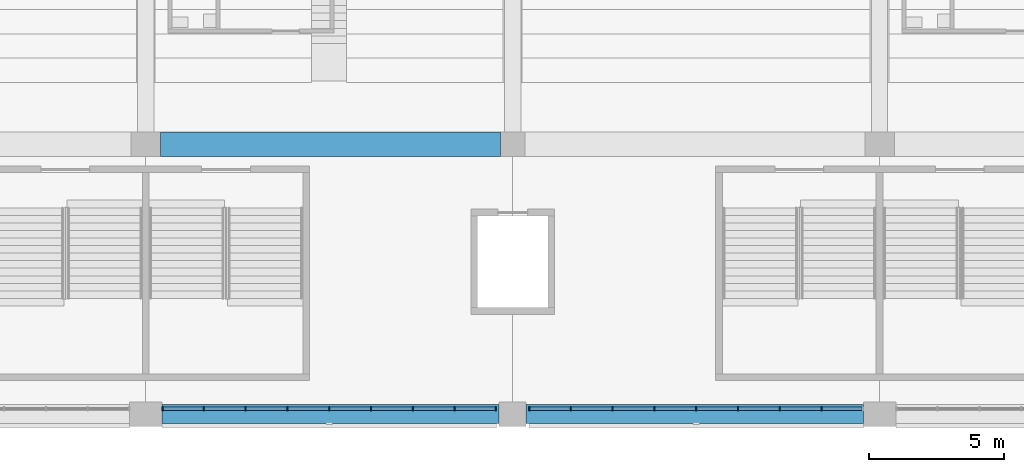
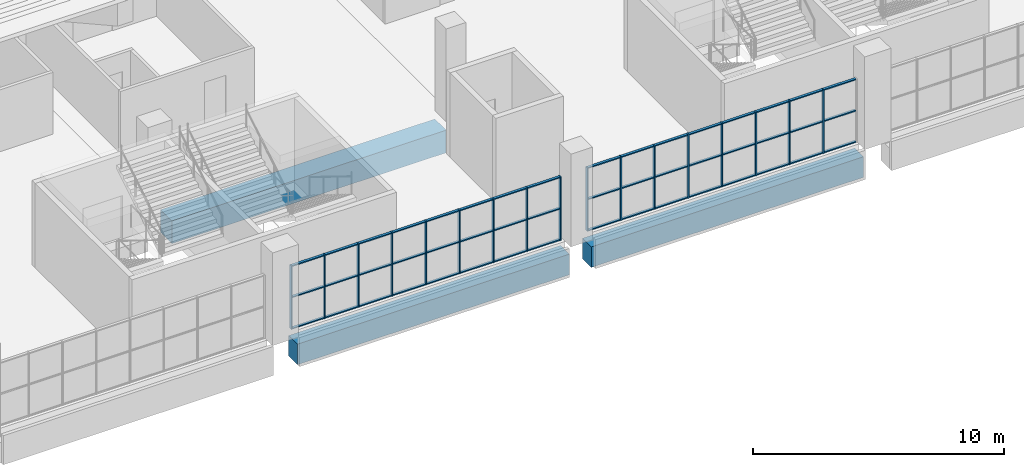
# One storey, part 12 of 249: 65 members, 3 beams, 2 elements without a shape of their own.
"""IFC4 building model written with IfcOpenShell, lengths in metres."""

from ifc_helpers import new_model, si_unit, direction, frame, origin, origin_2d, place, context, subcontext, project, spatial, rectangle, extrude, material, material_profile, profile_set, type_object, element, aggregate, save


model = new_model("IFC4")

# Units and contexts
model_context = context("Model", 3, precision=1e-05, world=origin(), true_north=direction((0.0, 1.0)))
body_context = subcontext(model_context, "Body", "Model", "MODEL_VIEW")
ifc_project = project(units=[si_unit("LENGTHUNIT", "METRE"), si_unit("AREAUNIT", "SQUARE_METRE"), si_unit("VOLUMEUNIT", "CUBIC_METRE"), si_unit("PLANEANGLEUNIT", "RADIAN"), si_unit("MASSUNIT", "GRAM", prefix="KILO")], contexts=[model_context])

# Site, building, storey
site_placement = place(None, origin())
site = spatial("IfcSite", under=ifc_project, at=site_placement, CompositionType="ELEMENT")
building_placement = place(site_placement, origin())
building = spatial("IfcBuilding", under=site, at=building_placement, Name="Ogive Plaza Stadium", CompositionType="ELEMENT")
storey_placement = place(building_placement, frame((0.0, 0.0, 13.5)))
storey = spatial("IfcBuildingStorey", under=building, at=storey_placement, Name="L03", CompositionType="ELEMENT", Elevation=13.5)

# Curtain wall, members
ifc_material_1 = material(Name="Bronze-anodised aluminium with laminated glass", Category="aluminium")
curtain_wall_type = type_object("IfcCurtainWallType", Name="Lancet curtain wall", PredefinedType="NOTDEFINED", material=ifc_material_1)
curtain_wall_1_placement = place(storey_placement, origin())
curtain_wall_1 = element("IfcCurtainWall", 1, at=curtain_wall_1_placement, inside=storey, type_object=curtain_wall_type, Name="CURTAIN WALL B14 L03", PredefinedType="NOTDEFINED")
ifc_material_2 = material(Name="Bronze-anodised aluminium", Category="aluminium")
ifc_material_profile_1 = material_profile(ifc_material_2, rectangle(XDim=0.14990234375, YDim=0.050048828125, at=origin_2d()), Name="AL 150x50")
ifc_profile_set_1 = profile_set([ifc_material_profile_1], Name="Bronze-anodised aluminium")
member_type_1 = type_object("IfcMemberType", Name="Curtain wall mullion 50x150", PredefinedType="MULLION", material=ifc_profile_set_1)
member_1_placement = place(storey_placement, frame((4.64990234375, -102.300048828125, 0.0), z_axis=(0.0, 0.0, 1.0), x_axis=(0.0, -1.0, 0.0)))
member_1 = element("IfcMember", 2, at=member_1_placement, type_object=member_type_1, Name="CW-B14-L03 mullion 2", PredefinedType="MULLION", context=body_context, shape_type="SweptSolid", body=[
    extrude(rectangle(XDim=0.14990234375, YDim=0.050048828125, at=origin_2d()), origin(), (0.0, 0.0, 1.0), 3.090087890625),
])
member_2_placement = place(storey_placement, frame((3.10009765625, -102.300048828125, 0.0), z_axis=(0.0, 0.0, 1.0), x_axis=(0.0, -1.0, 0.0)))
member_2 = element("IfcMember", 3, at=member_2_placement, type_object=member_type_1, Name="CW-B14-L03 mullion 3", PredefinedType="MULLION", context=body_context, shape_type="SweptSolid", body=[
    extrude(rectangle(XDim=0.14990234375, YDim=0.050048828125, at=origin_2d()), origin(), (0.0, 0.0, 1.0), 3.090087890625),
])
member_3_placement = place(storey_placement, frame((1.550048828125, -102.300048828125, 0.0), z_axis=(0.0, 0.0, 1.0), x_axis=(0.0, -1.0, 0.0)))
member_3 = element("IfcMember", 4, at=member_3_placement, type_object=member_type_1, Name="CW-B14-L03 mullion 4", PredefinedType="MULLION", context=body_context, shape_type="SweptSolid", body=[
    extrude(rectangle(XDim=0.14990234375, YDim=0.050048828125, at=origin_2d()), origin(), (0.0, 0.0, 1.0), 3.090087890625),
])
member_4_placement = place(storey_placement, frame((0.0, -102.300048828125, 0.0), z_axis=(0.0, 0.0, 1.0), x_axis=(0.0, -1.0, 0.0)))
member_4 = element("IfcMember", 5, at=member_4_placement, type_object=member_type_1, Name="CW-B14-L03 mullion 5", PredefinedType="MULLION", context=body_context, shape_type="SweptSolid", body=[
    extrude(rectangle(XDim=0.14990234375, YDim=0.050048828125, at=origin_2d()), origin(), (0.0, 0.0, 1.0), 3.090087890625),
])
member_5_placement = place(storey_placement, frame((-1.550048828125, -102.300048828125, 0.0), z_axis=(0.0, 0.0, 1.0), x_axis=(0.0, -1.0, 0.0)))
member_5 = element("IfcMember", 6, at=member_5_placement, type_object=member_type_1, Name="CW-B14-L03 mullion 6", PredefinedType="MULLION", context=body_context, shape_type="SweptSolid", body=[
    extrude(rectangle(XDim=0.14990234375, YDim=0.050048828125, at=origin_2d()), origin(), (0.0, 0.0, 1.0), 3.090087890625),
])
member_6_placement = place(storey_placement, frame((-3.10009765625, -102.300048828125, 0.0), z_axis=(0.0, 0.0, 1.0), x_axis=(0.0, -1.0, 0.0)))
member_6 = element("IfcMember", 7, at=member_6_placement, type_object=member_type_1, Name="CW-B14-L03 mullion 7", PredefinedType="MULLION", context=body_context, shape_type="SweptSolid", body=[
    extrude(rectangle(XDim=0.14990234375, YDim=0.050048828125, at=origin_2d()), origin(), (0.0, 0.0, 1.0), 3.090087890625),
])
member_7_placement = place(storey_placement, frame((-4.64990234375, -102.300048828125, 0.0), z_axis=(0.0, 0.0, 1.0), x_axis=(0.0, -1.0, 0.0)))
member_7 = element("IfcMember", 8, at=member_7_placement, type_object=member_type_1, Name="CW-B14-L03 mullion 8", PredefinedType="MULLION", context=body_context, shape_type="SweptSolid", body=[
    extrude(rectangle(XDim=0.14990234375, YDim=0.050048828125, at=origin_2d()), origin(), (0.0, 0.0, 1.0), 3.090087890625),
])
member_8_placement = place(storey_placement, frame((-6.175048828125, -102.300048828125, 0.0), z_axis=(0.0, 0.0, 1.0), x_axis=(0.0, -1.0, 0.0)))
member_8 = element("IfcMember", 9, at=member_8_placement, type_object=member_type_1, Name="CW-B14-L03 mullion 9", PredefinedType="MULLION", context=body_context, shape_type="SweptSolid", body=[
    extrude(rectangle(XDim=0.14990234375, YDim=0.050048828125, at=origin_2d()), origin(), (0.0, 0.0, 1.0), 3.090087890625),
])

curtain_wall_2_placement = place(storey_placement, origin())
curtain_wall_2 = element("IfcCurtainWall", 10, at=curtain_wall_2_placement, inside=storey, type_object=curtain_wall_type, Name="CURTAIN WALL B15 L03", PredefinedType="NOTDEFINED")
member_9_placement = place(storey_placement, frame((-7.425048828125, -102.300048828125, 0.0), z_axis=(0.0, 0.0, 1.0), x_axis=(0.0, -1.0, 0.0)))
member_9 = element("IfcMember", 11, at=member_9_placement, type_object=member_type_1, Name="CW-B15-L03 mullion 1", PredefinedType="MULLION", context=body_context, shape_type="SweptSolid", body=[
    extrude(rectangle(XDim=0.14990234375, YDim=0.050048828125, at=origin_2d()), origin(), (0.0, 0.0, 1.0), 3.090087890625),
])
member_10_placement = place(storey_placement, frame((-8.949951171875, -102.300048828125, 0.0), z_axis=(0.0, 0.0, 1.0), x_axis=(0.0, -1.0, 0.0)))
member_10 = element("IfcMember", 12, at=member_10_placement, type_object=member_type_1, Name="CW-B15-L03 mullion 2", PredefinedType="MULLION", context=body_context, shape_type="SweptSolid", body=[
    extrude(rectangle(XDim=0.14990234375, YDim=0.050048828125, at=origin_2d()), origin(), (0.0, 0.0, 1.0), 3.090087890625),
])
member_11_placement = place(storey_placement, frame((-10.5, -102.300048828125, 0.0), z_axis=(0.0, 0.0, 1.0), x_axis=(0.0, -1.0, 0.0)))
member_11 = element("IfcMember", 13, at=member_11_placement, type_object=member_type_1, Name="CW-B15-L03 mullion 3", PredefinedType="MULLION", context=body_context, shape_type="SweptSolid", body=[
    extrude(rectangle(XDim=0.14990234375, YDim=0.050048828125, at=origin_2d()), origin(), (0.0, 0.0, 1.0), 3.090087890625),
])
member_12_placement = place(storey_placement, frame((-12.050048828125, -102.300048828125, 0.0), z_axis=(0.0, 0.0, 1.0), x_axis=(0.0, -1.0, 0.0)))
member_12 = element("IfcMember", 14, at=member_12_placement, type_object=member_type_1, Name="CW-B15-L03 mullion 4", PredefinedType="MULLION", context=body_context, shape_type="SweptSolid", body=[
    extrude(rectangle(XDim=0.14990234375, YDim=0.050048828125, at=origin_2d()), origin(), (0.0, 0.0, 1.0), 3.090087890625),
])
member_13_placement = place(storey_placement, frame((-13.60009765625, -102.300048828125, 0.0), z_axis=(0.0, 0.0, 1.0), x_axis=(0.0, -1.0, 0.0)))
member_13 = element("IfcMember", 15, at=member_13_placement, type_object=member_type_1, Name="CW-B15-L03 mullion 5", PredefinedType="MULLION", context=body_context, shape_type="SweptSolid", body=[
    extrude(rectangle(XDim=0.14990234375, YDim=0.050048828125, at=origin_2d()), origin(), (0.0, 0.0, 1.0), 3.090087890625),
])
member_14_placement = place(storey_placement, frame((-15.14990234375, -102.300048828125, 0.0), z_axis=(0.0, 0.0, 1.0), x_axis=(0.0, -1.0, 0.0)))
member_14 = element("IfcMember", 16, at=member_14_placement, type_object=member_type_1, Name="CW-B15-L03 mullion 6", PredefinedType="MULLION", context=body_context, shape_type="SweptSolid", body=[
    extrude(rectangle(XDim=0.14990234375, YDim=0.050048828125, at=origin_2d()), origin(), (0.0, 0.0, 1.0), 3.090087890625),
])
member_15_placement = place(storey_placement, frame((-16.699951171875, -102.300048828125, 0.0), z_axis=(0.0, 0.0, 1.0), x_axis=(0.0, -1.0, 0.0)))
member_15 = element("IfcMember", 17, at=member_15_placement, type_object=member_type_1, Name="CW-B15-L03 mullion 7", PredefinedType="MULLION", context=body_context, shape_type="SweptSolid", body=[
    extrude(rectangle(XDim=0.14990234375, YDim=0.050048828125, at=origin_2d()), origin(), (0.0, 0.0, 1.0), 3.090087890625),
])
member_16_placement = place(storey_placement, frame((-18.25, -102.300048828125, 0.0), z_axis=(0.0, 0.0, 1.0), x_axis=(0.0, -1.0, 0.0)))
member_16 = element("IfcMember", 18, at=member_16_placement, type_object=member_type_1, Name="CW-B15-L03 mullion 8", PredefinedType="MULLION", context=body_context, shape_type="SweptSolid", body=[
    extrude(rectangle(XDim=0.14990234375, YDim=0.050048828125, at=origin_2d()), origin(), (0.0, 0.0, 1.0), 3.090087890625),
])
member_17_placement = place(storey_placement, frame((-19.77490234375, -102.300048828125, 0.0), z_axis=(0.0, 0.0, 1.0), x_axis=(0.0, -1.0, 0.0)))
member_17 = element("IfcMember", 19, at=member_17_placement, type_object=member_type_1, Name="CW-B15-L03 mullion 9", PredefinedType="MULLION", context=body_context, shape_type="SweptSolid", body=[
    extrude(rectangle(XDim=0.14990234375, YDim=0.050048828125, at=origin_2d()), origin(), (0.0, 0.0, 1.0), 3.090087890625),
])

# Member
ifc_material_3 = material(Name="Bronze-anodised aluminium", Category="aluminium")
ifc_material_profile_2 = material_profile(ifc_material_3, rectangle(XDim=0.1201171875, YDim=0.050048828125, at=origin_2d()), Name="AL 120x50")
ifc_profile_set_2 = profile_set([ifc_material_profile_2], Name="Bronze-anodised aluminium")
member_type_2 = type_object("IfcMemberType", Name="Curtain wall transom 50x120", PredefinedType="USERDEFINED", material=ifc_profile_set_2)
member_18_placement = place(storey_placement, frame((6.14990234375, -102.300048828125, 0.02490234375), z_axis=(-1.0, 0.0, 0.0), x_axis=(0.0, -1.0, 0.0)))
member_18 = element("IfcMember", 20, at=member_18_placement, type_object=member_type_2, Name="CW-B14-L03 transom 1.1", ObjectType="TRANSOM", PredefinedType="USERDEFINED", context=body_context, shape_type="SweptSolid", body=[
    extrude(rectangle(XDim=0.1201171875, YDim=0.050048828125, at=origin_2d()), origin(), (0.0, 0.0, 1.0), 1.474853515625),
])

member_19_placement = place(storey_placement, frame((6.14990234375, -102.300048828125, 1.544921875), z_axis=(-1.0, 0.0, 0.0), x_axis=(0.0, -1.0, 0.0)))
member_19 = element("IfcMember", 21, at=member_19_placement, type_object=member_type_2, Name="CW-B14-L03 transom 1.2", ObjectType="TRANSOM", PredefinedType="USERDEFINED", context=body_context, shape_type="SweptSolid", body=[
    extrude(rectangle(XDim=0.1201171875, YDim=0.050048828125, at=origin_2d()), origin(), (0.0, 0.0, 1.0), 1.474853515625),
])

member_20_placement = place(storey_placement, frame((6.14990234375, -102.300048828125, 3.06494140625), z_axis=(-1.0, 0.0, 0.0), x_axis=(0.0, -1.0, 0.0)))
member_20 = element("IfcMember", 22, at=member_20_placement, type_object=member_type_2, Name="CW-B14-L03 transom 1.3", ObjectType="TRANSOM", PredefinedType="USERDEFINED", context=body_context, shape_type="SweptSolid", body=[
    extrude(rectangle(XDim=0.1201171875, YDim=0.050048828125, at=origin_2d()), origin(), (0.0, 0.0, 1.0), 1.474853515625),
])

member_21_placement = place(storey_placement, frame((4.625, -102.300048828125, 0.02490234375), z_axis=(-1.0, 0.0, 0.0), x_axis=(0.0, -1.0, 0.0)))
member_21 = element("IfcMember", 23, at=member_21_placement, type_object=member_type_2, Name="CW-B14-L03 transom 2.1", ObjectType="TRANSOM", PredefinedType="USERDEFINED", context=body_context, shape_type="SweptSolid", body=[
    extrude(rectangle(XDim=0.1201171875, YDim=0.050048828125, at=origin_2d()), origin(), (0.0, 0.0, 1.0), 1.5),
])

member_22_placement = place(storey_placement, frame((4.625, -102.300048828125, 1.544921875), z_axis=(-1.0, 0.0, 0.0), x_axis=(0.0, -1.0, 0.0)))
member_22 = element("IfcMember", 24, at=member_22_placement, type_object=member_type_2, Name="CW-B14-L03 transom 2.2", ObjectType="TRANSOM", PredefinedType="USERDEFINED", context=body_context, shape_type="SweptSolid", body=[
    extrude(rectangle(XDim=0.1201171875, YDim=0.050048828125, at=origin_2d()), origin(), (0.0, 0.0, 1.0), 1.5),
])

member_23_placement = place(storey_placement, frame((4.625, -102.300048828125, 3.06494140625), z_axis=(-1.0, 0.0, 0.0), x_axis=(0.0, -1.0, 0.0)))
member_23 = element("IfcMember", 25, at=member_23_placement, type_object=member_type_2, Name="CW-B14-L03 transom 2.3", ObjectType="TRANSOM", PredefinedType="USERDEFINED", context=body_context, shape_type="SweptSolid", body=[
    extrude(rectangle(XDim=0.1201171875, YDim=0.050048828125, at=origin_2d()), origin(), (0.0, 0.0, 1.0), 1.5),
])

member_24_placement = place(storey_placement, frame((3.074951171875, -102.300048828125, 0.02490234375), z_axis=(-1.0, 0.0, 0.0), x_axis=(0.0, -1.0, 0.0)))
member_24 = element("IfcMember", 26, at=member_24_placement, type_object=member_type_2, Name="CW-B14-L03 transom 3.1", ObjectType="TRANSOM", PredefinedType="USERDEFINED", context=body_context, shape_type="SweptSolid", body=[
    extrude(rectangle(XDim=0.1201171875, YDim=0.050048828125, at=origin_2d()), origin(), (0.0, 0.0, 1.0), 1.5),
])

member_25_placement = place(storey_placement, frame((3.074951171875, -102.300048828125, 1.544921875), z_axis=(-1.0, 0.0, 0.0), x_axis=(0.0, -1.0, 0.0)))
member_25 = element("IfcMember", 27, at=member_25_placement, type_object=member_type_2, Name="CW-B14-L03 transom 3.2", ObjectType="TRANSOM", PredefinedType="USERDEFINED", context=body_context, shape_type="SweptSolid", body=[
    extrude(rectangle(XDim=0.1201171875, YDim=0.050048828125, at=origin_2d()), origin(), (0.0, 0.0, 1.0), 1.5),
])

member_26_placement = place(storey_placement, frame((3.074951171875, -102.300048828125, 3.06494140625), z_axis=(-1.0, 0.0, 0.0), x_axis=(0.0, -1.0, 0.0)))
member_26 = element("IfcMember", 28, at=member_26_placement, type_object=member_type_2, Name="CW-B14-L03 transom 3.3", ObjectType="TRANSOM", PredefinedType="USERDEFINED", context=body_context, shape_type="SweptSolid", body=[
    extrude(rectangle(XDim=0.1201171875, YDim=0.050048828125, at=origin_2d()), origin(), (0.0, 0.0, 1.0), 1.5),
])

member_27_placement = place(storey_placement, frame((1.52490234375, -102.300048828125, 0.02490234375), z_axis=(-1.0, 0.0, 0.0), x_axis=(0.0, -1.0, 0.0)))
member_27 = element("IfcMember", 29, at=member_27_placement, type_object=member_type_2, Name="CW-B14-L03 transom 4.1", ObjectType="TRANSOM", PredefinedType="USERDEFINED", context=body_context, shape_type="SweptSolid", body=[
    extrude(rectangle(XDim=0.1201171875, YDim=0.050048828125, at=origin_2d()), origin(), (0.0, 0.0, 1.0), 1.5),
])

member_28_placement = place(storey_placement, frame((1.52490234375, -102.300048828125, 1.544921875), z_axis=(-1.0, 0.0, 0.0), x_axis=(0.0, -1.0, 0.0)))
member_28 = element("IfcMember", 30, at=member_28_placement, type_object=member_type_2, Name="CW-B14-L03 transom 4.2", ObjectType="TRANSOM", PredefinedType="USERDEFINED", context=body_context, shape_type="SweptSolid", body=[
    extrude(rectangle(XDim=0.1201171875, YDim=0.050048828125, at=origin_2d()), origin(), (0.0, 0.0, 1.0), 1.5),
])

member_29_placement = place(storey_placement, frame((1.52490234375, -102.300048828125, 3.06494140625), z_axis=(-1.0, 0.0, 0.0), x_axis=(0.0, -1.0, 0.0)))
member_29 = element("IfcMember", 31, at=member_29_placement, type_object=member_type_2, Name="CW-B14-L03 transom 4.3", ObjectType="TRANSOM", PredefinedType="USERDEFINED", context=body_context, shape_type="SweptSolid", body=[
    extrude(rectangle(XDim=0.1201171875, YDim=0.050048828125, at=origin_2d()), origin(), (0.0, 0.0, 1.0), 1.5),
])

member_30_placement = place(storey_placement, frame((-0.02490234375, -102.300048828125, 0.02490234375), z_axis=(-1.0, 0.0, 0.0), x_axis=(0.0, -1.0, 0.0)))
member_30 = element("IfcMember", 32, at=member_30_placement, type_object=member_type_2, Name="CW-B14-L03 transom 5.1", ObjectType="TRANSOM", PredefinedType="USERDEFINED", context=body_context, shape_type="SweptSolid", body=[
    extrude(rectangle(XDim=0.1201171875, YDim=0.050048828125, at=origin_2d()), origin(), (0.0, 0.0, 1.0), 1.5),
])

member_31_placement = place(storey_placement, frame((-0.02490234375, -102.300048828125, 1.544921875), z_axis=(-1.0, 0.0, 0.0), x_axis=(0.0, -1.0, 0.0)))
member_31 = element("IfcMember", 33, at=member_31_placement, type_object=member_type_2, Name="CW-B14-L03 transom 5.2", ObjectType="TRANSOM", PredefinedType="USERDEFINED", context=body_context, shape_type="SweptSolid", body=[
    extrude(rectangle(XDim=0.1201171875, YDim=0.050048828125, at=origin_2d()), origin(), (0.0, 0.0, 1.0), 1.5),
])

member_32_placement = place(storey_placement, frame((-0.02490234375, -102.300048828125, 3.06494140625), z_axis=(-1.0, 0.0, 0.0), x_axis=(0.0, -1.0, 0.0)))
member_32 = element("IfcMember", 34, at=member_32_placement, type_object=member_type_2, Name="CW-B14-L03 transom 5.3", ObjectType="TRANSOM", PredefinedType="USERDEFINED", context=body_context, shape_type="SweptSolid", body=[
    extrude(rectangle(XDim=0.1201171875, YDim=0.050048828125, at=origin_2d()), origin(), (0.0, 0.0, 1.0), 1.5),
])

member_33_placement = place(storey_placement, frame((-1.574951171875, -102.300048828125, 0.02490234375), z_axis=(-1.0, 0.0, 0.0), x_axis=(0.0, -1.0, 0.0)))
member_33 = element("IfcMember", 35, at=member_33_placement, type_object=member_type_2, Name="CW-B14-L03 transom 6.1", ObjectType="TRANSOM", PredefinedType="USERDEFINED", context=body_context, shape_type="SweptSolid", body=[
    extrude(rectangle(XDim=0.1201171875, YDim=0.050048828125, at=origin_2d()), origin(), (0.0, 0.0, 1.0), 1.5),
])

member_34_placement = place(storey_placement, frame((-1.574951171875, -102.300048828125, 1.544921875), z_axis=(-1.0, 0.0, 0.0), x_axis=(0.0, -1.0, 0.0)))
member_34 = element("IfcMember", 36, at=member_34_placement, type_object=member_type_2, Name="CW-B14-L03 transom 6.2", ObjectType="TRANSOM", PredefinedType="USERDEFINED", context=body_context, shape_type="SweptSolid", body=[
    extrude(rectangle(XDim=0.1201171875, YDim=0.050048828125, at=origin_2d()), origin(), (0.0, 0.0, 1.0), 1.5),
])

member_35_placement = place(storey_placement, frame((-1.574951171875, -102.300048828125, 3.06494140625), z_axis=(-1.0, 0.0, 0.0), x_axis=(0.0, -1.0, 0.0)))
member_35 = element("IfcMember", 37, at=member_35_placement, type_object=member_type_2, Name="CW-B14-L03 transom 6.3", ObjectType="TRANSOM", PredefinedType="USERDEFINED", context=body_context, shape_type="SweptSolid", body=[
    extrude(rectangle(XDim=0.1201171875, YDim=0.050048828125, at=origin_2d()), origin(), (0.0, 0.0, 1.0), 1.5),
])

member_36_placement = place(storey_placement, frame((-3.125, -102.300048828125, 0.02490234375), z_axis=(-1.0, 0.0, 0.0), x_axis=(0.0, -1.0, 0.0)))
member_36 = element("IfcMember", 38, at=member_36_placement, type_object=member_type_2, Name="CW-B14-L03 transom 7.1", ObjectType="TRANSOM", PredefinedType="USERDEFINED", context=body_context, shape_type="SweptSolid", body=[
    extrude(rectangle(XDim=0.1201171875, YDim=0.050048828125, at=origin_2d()), origin(), (0.0, 0.0, 1.0), 1.5),
])

member_37_placement = place(storey_placement, frame((-3.125, -102.300048828125, 1.544921875), z_axis=(-1.0, 0.0, 0.0), x_axis=(0.0, -1.0, 0.0)))
member_37 = element("IfcMember", 39, at=member_37_placement, type_object=member_type_2, Name="CW-B14-L03 transom 7.2", ObjectType="TRANSOM", PredefinedType="USERDEFINED", context=body_context, shape_type="SweptSolid", body=[
    extrude(rectangle(XDim=0.1201171875, YDim=0.050048828125, at=origin_2d()), origin(), (0.0, 0.0, 1.0), 1.5),
])

member_38_placement = place(storey_placement, frame((-3.125, -102.300048828125, 3.06494140625), z_axis=(-1.0, 0.0, 0.0), x_axis=(0.0, -1.0, 0.0)))
member_38 = element("IfcMember", 40, at=member_38_placement, type_object=member_type_2, Name="CW-B14-L03 transom 7.3", ObjectType="TRANSOM", PredefinedType="USERDEFINED", context=body_context, shape_type="SweptSolid", body=[
    extrude(rectangle(XDim=0.1201171875, YDim=0.050048828125, at=origin_2d()), origin(), (0.0, 0.0, 1.0), 1.5),
])

member_39_placement = place(storey_placement, frame((-4.675048828125, -102.300048828125, 0.02490234375), z_axis=(-1.0, 0.0, 0.0), x_axis=(0.0, -1.0, 0.0)))
member_39 = element("IfcMember", 41, at=member_39_placement, type_object=member_type_2, Name="CW-B14-L03 transom 8.1", ObjectType="TRANSOM", PredefinedType="USERDEFINED", context=body_context, shape_type="SweptSolid", body=[
    extrude(rectangle(XDim=0.1201171875, YDim=0.050048828125, at=origin_2d()), origin(), (0.0, 0.0, 1.0), 1.474853515625),
])

member_40_placement = place(storey_placement, frame((-4.675048828125, -102.300048828125, 1.544921875), z_axis=(-1.0, 0.0, 0.0), x_axis=(0.0, -1.0, 0.0)))
member_40 = element("IfcMember", 42, at=member_40_placement, type_object=member_type_2, Name="CW-B14-L03 transom 8.2", ObjectType="TRANSOM", PredefinedType="USERDEFINED", context=body_context, shape_type="SweptSolid", body=[
    extrude(rectangle(XDim=0.1201171875, YDim=0.050048828125, at=origin_2d()), origin(), (0.0, 0.0, 1.0), 1.474853515625),
])

member_41_placement = place(storey_placement, frame((-4.675048828125, -102.300048828125, 3.06494140625), z_axis=(-1.0, 0.0, 0.0), x_axis=(0.0, -1.0, 0.0)))
member_41 = element("IfcMember", 43, at=member_41_placement, type_object=member_type_2, Name="CW-B14-L03 transom 8.3", ObjectType="TRANSOM", PredefinedType="USERDEFINED", context=body_context, shape_type="SweptSolid", body=[
    extrude(rectangle(XDim=0.1201171875, YDim=0.050048828125, at=origin_2d()), origin(), (0.0, 0.0, 1.0), 1.474853515625),
])

aggregate(curtain_wall_1, [member_1, member_2, member_3, member_4, member_5, member_6, member_7, member_8, member_18, member_19, member_20, member_21, member_22, member_23, member_24, member_25, member_26, member_27, member_28, member_29, member_30, member_31, member_32, member_33, member_34, member_35, member_36, member_37, member_38, member_39, member_40, member_41])

member_42_placement = place(storey_placement, frame((-7.449951171875, -102.300048828125, 0.02490234375), z_axis=(-1.0, 0.0, 0.0), x_axis=(0.0, -1.0, 0.0)))
member_42 = element("IfcMember", 44, at=member_42_placement, type_object=member_type_2, Name="CW-B15-L03 transom 1.1", ObjectType="TRANSOM", PredefinedType="USERDEFINED", context=body_context, shape_type="SweptSolid", body=[
    extrude(rectangle(XDim=0.1201171875, YDim=0.050048828125, at=origin_2d()), origin(), (0.0, 0.0, 1.0), 1.47509765625),
])

member_43_placement = place(storey_placement, frame((-7.449951171875, -102.300048828125, 1.544921875), z_axis=(-1.0, 0.0, 0.0), x_axis=(0.0, -1.0, 0.0)))
member_43 = element("IfcMember", 45, at=member_43_placement, type_object=member_type_2, Name="CW-B15-L03 transom 1.2", ObjectType="TRANSOM", PredefinedType="USERDEFINED", context=body_context, shape_type="SweptSolid", body=[
    extrude(rectangle(XDim=0.1201171875, YDim=0.050048828125, at=origin_2d()), origin(), (0.0, 0.0, 1.0), 1.47509765625),
])

member_44_placement = place(storey_placement, frame((-7.449951171875, -102.300048828125, 3.06494140625), z_axis=(-1.0, 0.0, 0.0), x_axis=(0.0, -1.0, 0.0)))
member_44 = element("IfcMember", 46, at=member_44_placement, type_object=member_type_2, Name="CW-B15-L03 transom 1.3", ObjectType="TRANSOM", PredefinedType="USERDEFINED", context=body_context, shape_type="SweptSolid", body=[
    extrude(rectangle(XDim=0.1201171875, YDim=0.050048828125, at=origin_2d()), origin(), (0.0, 0.0, 1.0), 1.47509765625),
])

member_45_placement = place(storey_placement, frame((-8.97509765625, -102.300048828125, 0.02490234375), z_axis=(-1.0, 0.0, 0.0), x_axis=(0.0, -1.0, 0.0)))
member_45 = element("IfcMember", 47, at=member_45_placement, type_object=member_type_2, Name="CW-B15-L03 transom 2.1", ObjectType="TRANSOM", PredefinedType="USERDEFINED", context=body_context, shape_type="SweptSolid", body=[
    extrude(rectangle(XDim=0.1201171875, YDim=0.050048828125, at=origin_2d()), origin(), (0.0, 0.0, 1.0), 1.5),
])

member_46_placement = place(storey_placement, frame((-8.97509765625, -102.300048828125, 1.544921875), z_axis=(-1.0, 0.0, 0.0), x_axis=(0.0, -1.0, 0.0)))
member_46 = element("IfcMember", 48, at=member_46_placement, type_object=member_type_2, Name="CW-B15-L03 transom 2.2", ObjectType="TRANSOM", PredefinedType="USERDEFINED", context=body_context, shape_type="SweptSolid", body=[
    extrude(rectangle(XDim=0.1201171875, YDim=0.050048828125, at=origin_2d()), origin(), (0.0, 0.0, 1.0), 1.5),
])

member_47_placement = place(storey_placement, frame((-8.97509765625, -102.300048828125, 3.06494140625), z_axis=(-1.0, 0.0, 0.0), x_axis=(0.0, -1.0, 0.0)))
member_47 = element("IfcMember", 49, at=member_47_placement, type_object=member_type_2, Name="CW-B15-L03 transom 2.3", ObjectType="TRANSOM", PredefinedType="USERDEFINED", context=body_context, shape_type="SweptSolid", body=[
    extrude(rectangle(XDim=0.1201171875, YDim=0.050048828125, at=origin_2d()), origin(), (0.0, 0.0, 1.0), 1.5),
])

member_48_placement = place(storey_placement, frame((-10.52490234375, -102.300048828125, 0.02490234375), z_axis=(-1.0, 0.0, 0.0), x_axis=(0.0, -1.0, 0.0)))
member_48 = element("IfcMember", 50, at=member_48_placement, type_object=member_type_2, Name="CW-B15-L03 transom 3.1", ObjectType="TRANSOM", PredefinedType="USERDEFINED", context=body_context, shape_type="SweptSolid", body=[
    extrude(rectangle(XDim=0.1201171875, YDim=0.050048828125, at=origin_2d()), origin(), (0.0, 0.0, 1.0), 1.5),
])

member_49_placement = place(storey_placement, frame((-10.52490234375, -102.300048828125, 1.544921875), z_axis=(-1.0, 0.0, 0.0), x_axis=(0.0, -1.0, 0.0)))
member_49 = element("IfcMember", 51, at=member_49_placement, type_object=member_type_2, Name="CW-B15-L03 transom 3.2", ObjectType="TRANSOM", PredefinedType="USERDEFINED", context=body_context, shape_type="SweptSolid", body=[
    extrude(rectangle(XDim=0.1201171875, YDim=0.050048828125, at=origin_2d()), origin(), (0.0, 0.0, 1.0), 1.5),
])

member_50_placement = place(storey_placement, frame((-10.52490234375, -102.300048828125, 3.06494140625), z_axis=(-1.0, 0.0, 0.0), x_axis=(0.0, -1.0, 0.0)))
member_50 = element("IfcMember", 52, at=member_50_placement, type_object=member_type_2, Name="CW-B15-L03 transom 3.3", ObjectType="TRANSOM", PredefinedType="USERDEFINED", context=body_context, shape_type="SweptSolid", body=[
    extrude(rectangle(XDim=0.1201171875, YDim=0.050048828125, at=origin_2d()), origin(), (0.0, 0.0, 1.0), 1.5),
])

member_51_placement = place(storey_placement, frame((-12.074951171875, -102.300048828125, 0.02490234375), z_axis=(-1.0, 0.0, 0.0), x_axis=(0.0, -1.0, 0.0)))
member_51 = element("IfcMember", 53, at=member_51_placement, type_object=member_type_2, Name="CW-B15-L03 transom 4.1", ObjectType="TRANSOM", PredefinedType="USERDEFINED", context=body_context, shape_type="SweptSolid", body=[
    extrude(rectangle(XDim=0.1201171875, YDim=0.050048828125, at=origin_2d()), origin(), (0.0, 0.0, 1.0), 1.5),
])

member_52_placement = place(storey_placement, frame((-12.074951171875, -102.300048828125, 1.544921875), z_axis=(-1.0, 0.0, 0.0), x_axis=(0.0, -1.0, 0.0)))
member_52 = element("IfcMember", 54, at=member_52_placement, type_object=member_type_2, Name="CW-B15-L03 transom 4.2", ObjectType="TRANSOM", PredefinedType="USERDEFINED", context=body_context, shape_type="SweptSolid", body=[
    extrude(rectangle(XDim=0.1201171875, YDim=0.050048828125, at=origin_2d()), origin(), (0.0, 0.0, 1.0), 1.5),
])

member_53_placement = place(storey_placement, frame((-12.074951171875, -102.300048828125, 3.06494140625), z_axis=(-1.0, 0.0, 0.0), x_axis=(0.0, -1.0, 0.0)))
member_53 = element("IfcMember", 55, at=member_53_placement, type_object=member_type_2, Name="CW-B15-L03 transom 4.3", ObjectType="TRANSOM", PredefinedType="USERDEFINED", context=body_context, shape_type="SweptSolid", body=[
    extrude(rectangle(XDim=0.1201171875, YDim=0.050048828125, at=origin_2d()), origin(), (0.0, 0.0, 1.0), 1.5),
])

member_54_placement = place(storey_placement, frame((-13.625, -102.300048828125, 0.02490234375), z_axis=(-1.0, 0.0, 0.0), x_axis=(0.0, -1.0, 0.0)))
member_54 = element("IfcMember", 56, at=member_54_placement, type_object=member_type_2, Name="CW-B15-L03 transom 5.1", ObjectType="TRANSOM", PredefinedType="USERDEFINED", context=body_context, shape_type="SweptSolid", body=[
    extrude(rectangle(XDim=0.1201171875, YDim=0.050048828125, at=origin_2d()), origin(), (0.0, 0.0, 1.0), 1.5),
])

member_55_placement = place(storey_placement, frame((-13.625, -102.300048828125, 1.544921875), z_axis=(-1.0, 0.0, 0.0), x_axis=(0.0, -1.0, 0.0)))
member_55 = element("IfcMember", 57, at=member_55_placement, type_object=member_type_2, Name="CW-B15-L03 transom 5.2", ObjectType="TRANSOM", PredefinedType="USERDEFINED", context=body_context, shape_type="SweptSolid", body=[
    extrude(rectangle(XDim=0.1201171875, YDim=0.050048828125, at=origin_2d()), origin(), (0.0, 0.0, 1.0), 1.5),
])

member_56_placement = place(storey_placement, frame((-13.625, -102.300048828125, 3.06494140625), z_axis=(-1.0, 0.0, 0.0), x_axis=(0.0, -1.0, 0.0)))
member_56 = element("IfcMember", 58, at=member_56_placement, type_object=member_type_2, Name="CW-B15-L03 transom 5.3", ObjectType="TRANSOM", PredefinedType="USERDEFINED", context=body_context, shape_type="SweptSolid", body=[
    extrude(rectangle(XDim=0.1201171875, YDim=0.050048828125, at=origin_2d()), origin(), (0.0, 0.0, 1.0), 1.5),
])

member_57_placement = place(storey_placement, frame((-15.175048828125, -102.300048828125, 0.02490234375), z_axis=(-1.0, 0.0, 0.0), x_axis=(0.0, -1.0, 0.0)))
member_57 = element("IfcMember", 59, at=member_57_placement, type_object=member_type_2, Name="CW-B15-L03 transom 6.1", ObjectType="TRANSOM", PredefinedType="USERDEFINED", context=body_context, shape_type="SweptSolid", body=[
    extrude(rectangle(XDim=0.1201171875, YDim=0.050048828125, at=origin_2d()), origin(), (0.0, 0.0, 1.0), 1.5),
])

member_58_placement = place(storey_placement, frame((-15.175048828125, -102.300048828125, 1.544921875), z_axis=(-1.0, 0.0, 0.0), x_axis=(0.0, -1.0, 0.0)))
member_58 = element("IfcMember", 60, at=member_58_placement, type_object=member_type_2, Name="CW-B15-L03 transom 6.2", ObjectType="TRANSOM", PredefinedType="USERDEFINED", context=body_context, shape_type="SweptSolid", body=[
    extrude(rectangle(XDim=0.1201171875, YDim=0.050048828125, at=origin_2d()), origin(), (0.0, 0.0, 1.0), 1.5),
])

member_59_placement = place(storey_placement, frame((-15.175048828125, -102.300048828125, 3.06494140625), z_axis=(-1.0, 0.0, 0.0), x_axis=(0.0, -1.0, 0.0)))
member_59 = element("IfcMember", 61, at=member_59_placement, type_object=member_type_2, Name="CW-B15-L03 transom 6.3", ObjectType="TRANSOM", PredefinedType="USERDEFINED", context=body_context, shape_type="SweptSolid", body=[
    extrude(rectangle(XDim=0.1201171875, YDim=0.050048828125, at=origin_2d()), origin(), (0.0, 0.0, 1.0), 1.5),
])

member_60_placement = place(storey_placement, frame((-16.72509765625, -102.300048828125, 0.02490234375), z_axis=(-1.0, 0.0, 0.0), x_axis=(0.0, -1.0, 0.0)))
member_60 = element("IfcMember", 62, at=member_60_placement, type_object=member_type_2, Name="CW-B15-L03 transom 7.1", ObjectType="TRANSOM", PredefinedType="USERDEFINED", context=body_context, shape_type="SweptSolid", body=[
    extrude(rectangle(XDim=0.1201171875, YDim=0.050048828125, at=origin_2d()), origin(), (0.0, 0.0, 1.0), 1.5),
])

member_61_placement = place(storey_placement, frame((-16.72509765625, -102.300048828125, 1.544921875), z_axis=(-1.0, 0.0, 0.0), x_axis=(0.0, -1.0, 0.0)))
member_61 = element("IfcMember", 63, at=member_61_placement, type_object=member_type_2, Name="CW-B15-L03 transom 7.2", ObjectType="TRANSOM", PredefinedType="USERDEFINED", context=body_context, shape_type="SweptSolid", body=[
    extrude(rectangle(XDim=0.1201171875, YDim=0.050048828125, at=origin_2d()), origin(), (0.0, 0.0, 1.0), 1.5),
])

member_62_placement = place(storey_placement, frame((-16.72509765625, -102.300048828125, 3.06494140625), z_axis=(-1.0, 0.0, 0.0), x_axis=(0.0, -1.0, 0.0)))
member_62 = element("IfcMember", 64, at=member_62_placement, type_object=member_type_2, Name="CW-B15-L03 transom 7.3", ObjectType="TRANSOM", PredefinedType="USERDEFINED", context=body_context, shape_type="SweptSolid", body=[
    extrude(rectangle(XDim=0.1201171875, YDim=0.050048828125, at=origin_2d()), origin(), (0.0, 0.0, 1.0), 1.5),
])

member_63_placement = place(storey_placement, frame((-18.27490234375, -102.300048828125, 0.02490234375), z_axis=(-1.0, 0.0, 0.0), x_axis=(0.0, -1.0, 0.0)))
member_63 = element("IfcMember", 65, at=member_63_placement, type_object=member_type_2, Name="CW-B15-L03 transom 8.1", ObjectType="TRANSOM", PredefinedType="USERDEFINED", context=body_context, shape_type="SweptSolid", body=[
    extrude(rectangle(XDim=0.1201171875, YDim=0.050048828125, at=origin_2d()), origin(), (0.0, 0.0, 1.0), 1.47509765625),
])

member_64_placement = place(storey_placement, frame((-18.27490234375, -102.300048828125, 1.544921875), z_axis=(-1.0, 0.0, 0.0), x_axis=(0.0, -1.0, 0.0)))
member_64 = element("IfcMember", 66, at=member_64_placement, type_object=member_type_2, Name="CW-B15-L03 transom 8.2", ObjectType="TRANSOM", PredefinedType="USERDEFINED", context=body_context, shape_type="SweptSolid", body=[
    extrude(rectangle(XDim=0.1201171875, YDim=0.050048828125, at=origin_2d()), origin(), (0.0, 0.0, 1.0), 1.47509765625),
])

member_65_placement = place(storey_placement, frame((-18.27490234375, -102.300048828125, 3.06494140625), z_axis=(-1.0, 0.0, 0.0), x_axis=(0.0, -1.0, 0.0)))
member_65 = element("IfcMember", 67, at=member_65_placement, type_object=member_type_2, Name="CW-B15-L03 transom 8.3", ObjectType="TRANSOM", PredefinedType="USERDEFINED", context=body_context, shape_type="SweptSolid", body=[
    extrude(rectangle(XDim=0.1201171875, YDim=0.050048828125, at=origin_2d()), origin(), (0.0, 0.0, 1.0), 1.47509765625),
])

aggregate(curtain_wall_2, [member_9, member_10, member_11, member_12, member_13, member_14, member_15, member_16, member_17, member_42, member_43, member_44, member_45, member_46, member_47, member_48, member_49, member_50, member_51, member_52, member_53, member_54, member_55, member_56, member_57, member_58, member_59, member_60, member_61, member_62, member_63, member_64, member_65])

# Beams
ifc_material_4 = material(Name="Concrete C40/50", Category="concrete")
ifc_material_profile_3 = material_profile(ifc_material_4, rectangle(XDim=0.89990234375, YDim=1.10009765625, at=origin_2d()), Name="RC 900x1100")
ifc_profile_set_3 = profile_set([ifc_material_profile_3], Name="Concrete C40/50")
beam_type_1 = type_object("IfcBeamType", Name="RC ring beam 900x1100", PredefinedType="BEAM", material=ifc_profile_set_3)
beam_placement = place(storey_placement, frame((-7.25, -92.5, -0.9599609375), z_axis=(-1.0, 0.0, 0.0), x_axis=(0.0, -1.0, 0.0)))
element("IfcBeam", 68, at=beam_placement, inside=storey, type_object=beam_type_1, Name="Ring beam F4 L03 B15", PredefinedType="BEAM", context=body_context, shape_type="SweptSolid", body=[
    extrude(rectangle(XDim=0.89990234375, YDim=1.10009765625, at=origin_2d()), origin(), (0.0, 0.0, 1.0), 12.60009765625),
])
ifc_material_5 = material(Name="Concrete C40/50", Category="concrete")
ifc_material_profile_4 = material_profile(ifc_material_5, rectangle(XDim=0.699951171875, YDim=1.0, at=origin_2d()), Name="RC 700x1000")
ifc_profile_set_4 = profile_set([ifc_material_profile_4], Name="Concrete C40/50")
beam_type_2 = type_object("IfcBeamType", Name="RC spandrel beam 700x1000", PredefinedType="SPANDREL", material=ifc_profile_set_4)
for number, where, z_axis, x_axis, name in (
    (69, (6.199951171875, -102.5, -0.909912109375), (-1.0, 0.0, 0.0), (0.0, -1.0, 0.0), "Ring beam F5 L03 B14"),
    (70, (-7.300048828125, -102.5, -0.909912109375), (-1.0, 0.0, 0.0), (0.0, -1.0, 0.0), "Ring beam F5 L03 B15"),
):
    element("IfcBeam", number, at=place(storey_placement, frame(where, z_axis=z_axis, x_axis=x_axis)), inside=storey, type_object=beam_type_2, Name=name, PredefinedType="SPANDREL", context=body_context, shape_type="SweptSolid", body=[
        extrude(rectangle(XDim=0.699951171875, YDim=1.0, at=origin_2d()), origin(), (0.0, 0.0, 1.0), 12.5),
    ])

save(model, "model.ifc")
